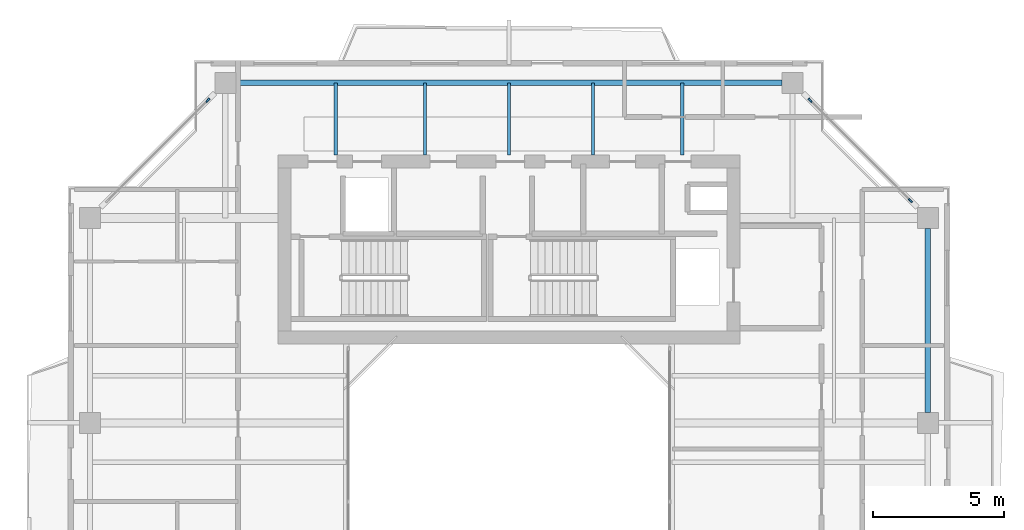
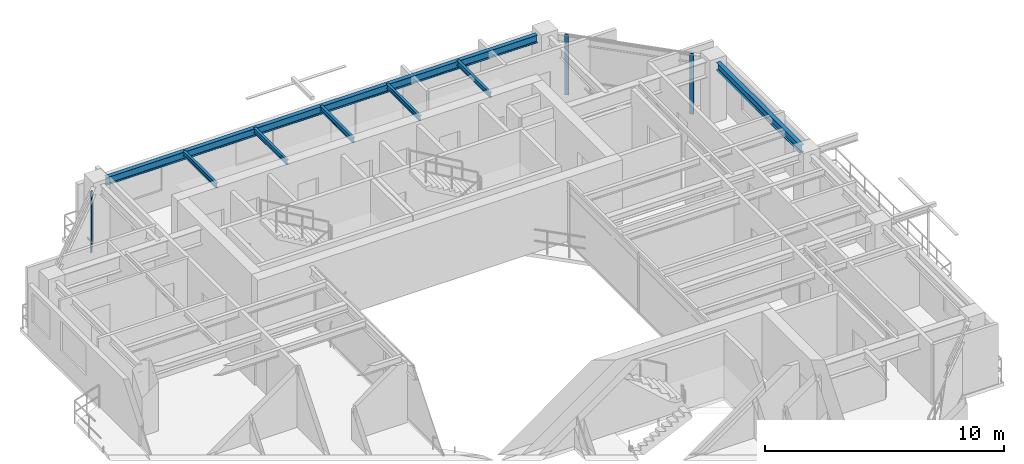
# One storey, part 8 of 16: 7 beams, 3 members, 2 elements without a shape of their own.
"""IFC4 building model written with IfcOpenShell, lengths in metres."""

from ifc_helpers import new_model, si_unit, direction, frame, origin, origin_2d, place, context, subcontext, project, spatial, rectangle, i_section, extrude, source, transform, mapped, material, layer, layer_set, material_profile, profile_set, type_object, element, aggregate, save


model = new_model("IFC4")

# Units and contexts
model_context = context("Model", 3, precision=1e-05, world=origin(), true_north=direction((0.0, 1.0)))
body_context = subcontext(model_context, "Body", "Model", "MODEL_VIEW")
ifc_project = project(units=[si_unit("LENGTHUNIT", "METRE"), si_unit("AREAUNIT", "SQUARE_METRE"), si_unit("VOLUMEUNIT", "CUBIC_METRE"), si_unit("PLANEANGLEUNIT", "RADIAN"), si_unit("MASSUNIT", "GRAM", prefix="KILO"), si_unit("THERMODYNAMICTEMPERATUREUNIT", "KELVIN"), si_unit("POWERUNIT", "WATT")], contexts=[model_context])

# Site, building, storey
site_placement = place(None, origin())
site = spatial("IfcSite", under=ifc_project, at=site_placement, CompositionType="ELEMENT")
building_placement = place(site_placement, origin())
building = spatial("IfcBuilding", under=site, at=building_placement, Name="Qiaomeng Ring Towers", CompositionType="ELEMENT")
storey_placement = place(building_placement, frame((0.0, 0.0, 216.5)))
storey = spatial("IfcBuildingStorey", under=building, at=storey_placement, Name="L63", CompositionType="ELEMENT", Elevation=216.5)

# Beams
ifc_material_1 = material(Name="Steel Q355B", Category="steel")
ifc_material_profile_1 = material_profile(ifc_material_1, i_section(OverallWidth=0.198974609375, OverallDepth=0.39599609375, WebThickness=0.007080078125, FlangeThickness=0.010986328125, FilletRadius=0.01611328125, at=origin_2d()), Name="HN 396x199x7x11")
ifc_profile_set_1 = profile_set([ifc_material_profile_1], Name="Steel Q355B")
beam_type_1 = type_object("IfcBeamType", Name="STR-BM-HN396", PredefinedType="SPANDREL", material=ifc_profile_set_1)
shared_shape_1 = source(origin(), body_context, "Body", "SweptSolid", [
    extrude(i_section(OverallWidth=0.198974609375, OverallDepth=0.39599609375, WebThickness=0.007080078125, FlangeThickness=0.010986328125, FilletRadius=0.01611328125, at=origin_2d()), origin(), (0.0, 0.0, 1.0), 20.8017578125),
])
beam_1_placement = place(storey_placement, frame((29.40087890625, 38.949951171875, 2.8720703125), z_axis=(-1.0, 0.0, 0.0), x_axis=(0.0, -1.0, 0.0)))
element("IfcBeam", 1, at=beam_1_placement, inside=storey, type_object=beam_type_1, Name="L63 beam STR-SP-L63-T1-N2-N1", PredefinedType="SPANDREL", context=body_context, shape_type="MappedRepresentation", body=[
    mapped(shared_shape_1, transform((0.0, 0.0, 0.0), x_axis=(1.0, 0.0, 0.0), y_axis=(0.0, 1.0, 0.0), z_axis=(0.0, 0.0, 1.0), scale=1.0)),
])
shared_shape_2 = source(origin(), body_context, "Body", "SweptSolid", [
    extrude(i_section(OverallWidth=0.198974609375, OverallDepth=0.39599609375, WebThickness=0.007080078125, FlangeThickness=0.010986328125, FilletRadius=0.01611328125, at=origin_2d()), origin(), (0.0, 0.0, 1.0), 7.001953125),
])
beam_2_placement = place(storey_placement, frame((34.949951171875, 26.39892578125, 2.8720703125), z_axis=(0.0, 1.0, 0.0), x_axis=(-1.0, 0.0, 0.0)))
element("IfcBeam", 2, at=beam_2_placement, inside=storey, type_object=beam_type_1, Name="L63 beam STR-SP-L63-T1-E3-E4", PredefinedType="SPANDREL", context=body_context, shape_type="MappedRepresentation", body=[
    mapped(shared_shape_2, transform((0.0, 0.0, 0.0), x_axis=(1.0, 0.0, 0.0), y_axis=(0.0, 1.0, 0.0), z_axis=(0.0, 0.0, 1.0), scale=1.0)),
])
ifc_material_profile_2 = material_profile(ifc_material_1, i_section(OverallWidth=0.125, OverallDepth=0.25, WebThickness=0.006103515625, FlangeThickness=0.009033203125, FilletRadius=0.011962890625, at=origin_2d()), Name="HN 250x125x6x9")
ifc_profile_set_2 = profile_set([ifc_material_profile_2], Name="Steel Q355B")
beam_type_2 = type_object("IfcBeamType", Name="STR-BM-HN250", PredefinedType="JOIST", material=ifc_profile_set_2)
shared_shape_3 = source(origin(), body_context, "Body", "SweptSolid", [
    extrude(i_section(OverallWidth=0.125, OverallDepth=0.25, WebThickness=0.006103515625, FlangeThickness=0.009033203125, FilletRadius=0.011962890625, at=origin_2d()), origin(), (0.0, 0.0, 1.0), 2.75),
])
for number, where, z_axis, x_axis, name in (
    (3, (12.39990234375, 36.199951171875, 2.945068359375), (0.0, 1.0, 0.0), (-1.0, 0.0, 0.0), "L63 beam STR-JST-L63-T1N-1"),
    (4, (15.800048828125, 36.199951171875, 2.945068359375), (0.0, 1.0, 0.0), (-1.0, 0.0, 0.0), "L63 beam STR-JST-L63-T1N-2"),
    (5, (19.0, 36.199951171875, 2.945068359375), (0.0, 1.0, 0.0), (-1.0, 0.0, 0.0), "L63 beam STR-JST-L63-T1N-3"),
    (6, (22.199951171875, 36.199951171875, 2.945068359375), (0.0, 1.0, 0.0), (-1.0, 0.0, 0.0), "L63 beam STR-JST-L63-T1N-4"),
    (7, (25.60009765625, 36.199951171875, 2.945068359375), (0.0, 1.0, 0.0), (-1.0, 0.0, 0.0), "L63 beam STR-JST-L63-T1N-5"),
):
    element("IfcBeam", number, at=place(storey_placement, frame(where, z_axis=z_axis, x_axis=x_axis)), inside=storey, type_object=beam_type_2, Name=name, PredefinedType="JOIST", context=body_context, shape_type="MappedRepresentation", body=[
        mapped(shared_shape_3, transform((0.0, 0.0, 0.0), x_axis=(1.0, 0.0, 0.0), y_axis=(0.0, 1.0, 0.0), z_axis=(0.0, 0.0, 1.0), scale=1.0)),
    ])

# Curtain wall, members
ifc_material_2 = material(Name="Fluorocarbon dark-grey aluminium", Category="aluminium")
ifc_layer = layer(ifc_material_2, 0.14990234375, Name="Fluorocarbon dark-grey aluminium")
ifc_layer_set = layer_set([ifc_layer], Name="Fluorocarbon dark-grey aluminium")
curtain_wall_type = type_object("IfcCurtainWallType", Name="ARC-CW-3", PredefinedType="NOTDEFINED", material=ifc_layer_set)
curtain_wall_1_placement = place(storey_placement, origin())
curtain_wall_1 = element("IfcCurtainWall", 8, at=curtain_wall_1_placement, inside=storey, type_object=curtain_wall_type, Name="L63 Curtain Wall CW3", PredefinedType="NOTDEFINED")
ifc_material_profile_3 = material_profile(ifc_material_2, rectangle(XDim=0.070068359375, YDim=0.179931640625, at=origin_2d()), Name="ALU MULL 70x180")
ifc_profile_set_3 = profile_set([ifc_material_profile_3], Name="Fluorocarbon dark-grey aluminium")
member_type = type_object("IfcMemberType", Name="ARC-CWM-160", PredefinedType="MULLION", material=ifc_profile_set_3)
shared_shape_4 = source(origin(), body_context, "Body", "SweptSolid", [
    extrude(rectangle(XDim=0.070068359375, YDim=0.179931640625, at=origin_2d()), origin(), (0.0, 0.0, 1.0), 3.070068359375),
])
member_1_placement = place(storey_placement, frame((34.28515625, 34.46484375, 0.0), z_axis=(0.0, 0.0, 1.0), x_axis=(-0.707106781187, -0.707106781187, 0.0)))
member_1 = element("IfcMember", 9, at=member_1_placement, type_object=member_type, Name="CW3 mullion 1", PredefinedType="MULLION", context=body_context, shape_type="MappedRepresentation", body=[
    mapped(shared_shape_4, transform((0.0, 0.0, 0.0), x_axis=(1.0, 0.0, 0.0), y_axis=(0.0, 1.0, 0.0), z_axis=(0.0, 0.0, 1.0), scale=1.0)),
])
member_2_placement = place(storey_placement, frame((30.46484375, 38.28515625, 0.0), z_axis=(0.0, 0.0, 1.0), x_axis=(-0.707106781187, -0.707106781187, 0.0)))
member_2 = element("IfcMember", 10, at=member_2_placement, type_object=member_type, Name="CW3 mullion 2", PredefinedType="MULLION", context=body_context, shape_type="MappedRepresentation", body=[
    mapped(shared_shape_4, transform((0.0, 0.0, 0.0), x_axis=(1.0, 0.0, 0.0), y_axis=(0.0, 1.0, 0.0), z_axis=(0.0, 0.0, 1.0), scale=1.0)),
])
aggregate(curtain_wall_1, [member_1, member_2])

# Curtain wall, member
curtain_wall_2_placement = place(storey_placement, origin())
curtain_wall_2 = element("IfcCurtainWall", 11, at=curtain_wall_2_placement, inside=storey, type_object=curtain_wall_type, Name="L63 Curtain Wall CW3", PredefinedType="NOTDEFINED")
member_3_placement = place(storey_placement, frame((7.53515625, 38.28515625, 0.0), z_axis=(0.0, 0.0, 1.0), x_axis=(0.707106781187, -0.707106781187, 0.0)))
member_3 = element("IfcMember", 12, at=member_3_placement, type_object=member_type, Name="CW3 mullion 1", PredefinedType="MULLION", context=body_context, shape_type="MappedRepresentation", body=[
    mapped(shared_shape_4, transform((0.0, 0.0, 0.0), x_axis=(1.0, 0.0, 0.0), y_axis=(0.0, 1.0, 0.0), z_axis=(0.0, 0.0, 1.0), scale=1.0)),
])
aggregate(curtain_wall_2, [member_3])

save(model, "model.ifc")
